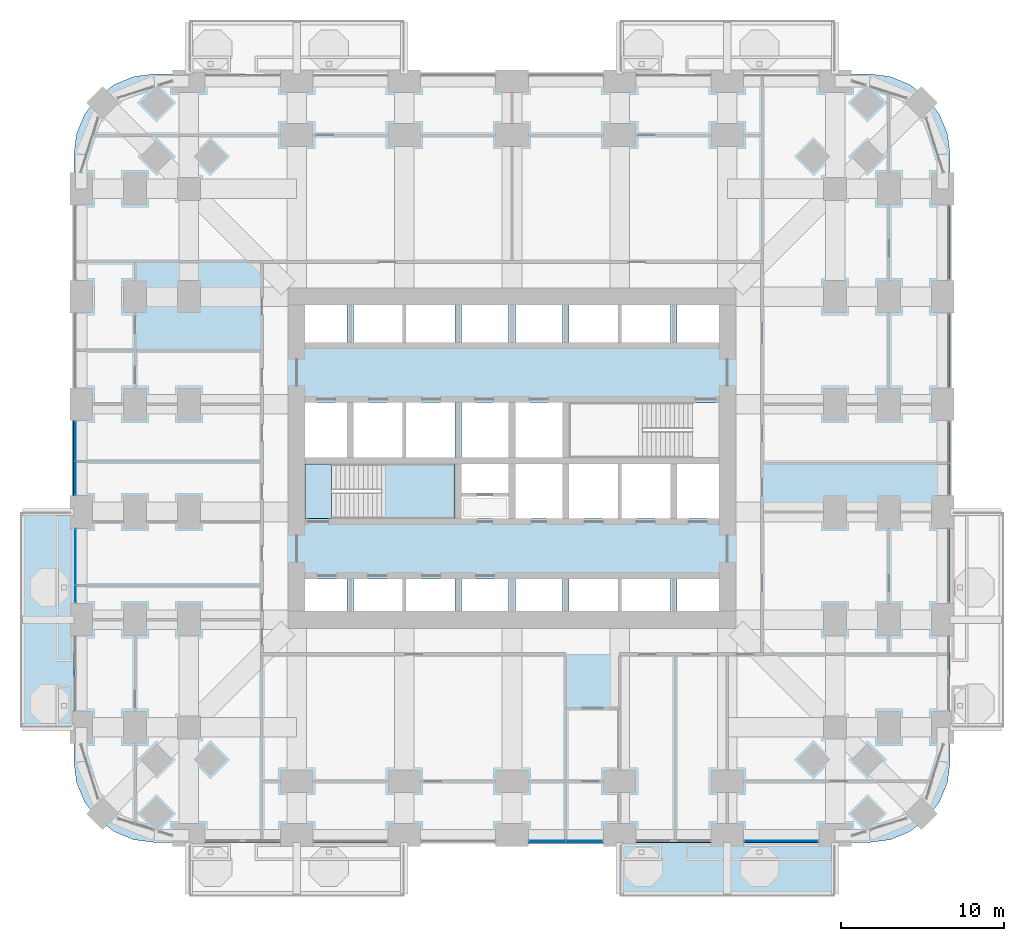
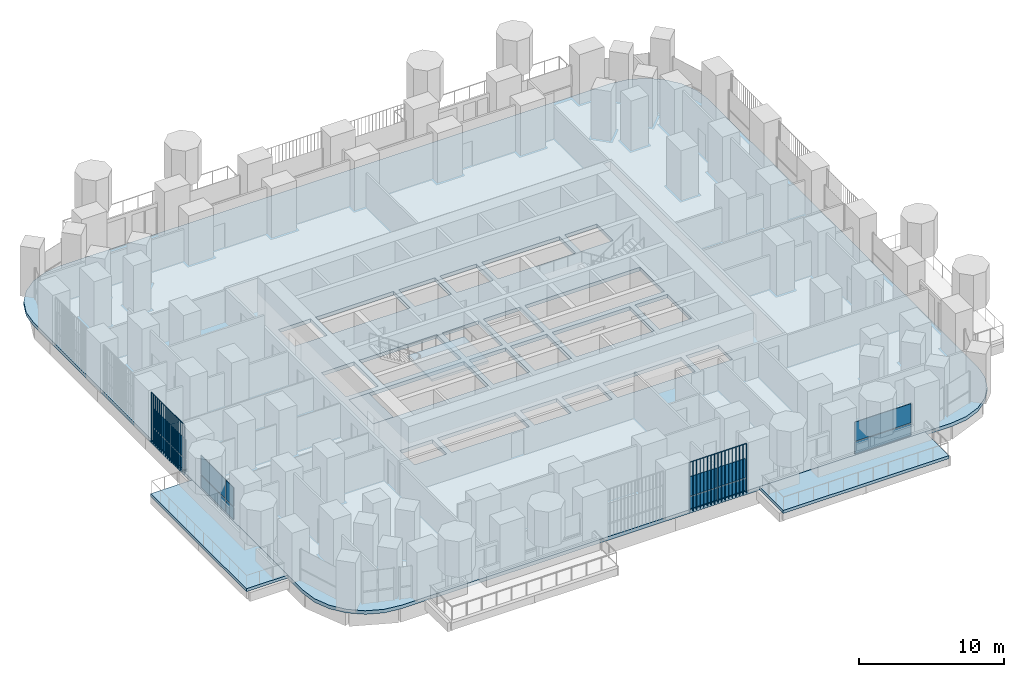
# One storey, part 12 of 25: 16 plates, 5 slabs, 5 elements without a shape of their own.
"""IFC4 building model written with IfcOpenShell, lengths in metres."""

import ifcopenshell
import ifcopenshell.guid

model = None  # the IFC model being written
_history = None  # IfcOwnerHistory: only IFC2X3 demands one
_inside = {}  # id of a spatial element -> (the spatial element, [elements in it])
_under = {}  # id of a project, library or spatial element -> (it, [spatial elements below it])
_declared = {}  # id of a project -> (the project, [libraries it declares])
_typed = {}  # id of a type object -> (the type object, [elements of that type])
_made_of = {}  # id of a material, layer set ... -> (it, [elements and type objects made of it])


def new_model(schema):
    """Start an empty IFC model of exactly this schema.

    Asked for "IFC4X3", IfcOpenShell would pick the latest addendum, in which some entities
    have other attributes; the version numbers below select the first issue.
    IFC2X3 requires an IfcOwnerHistory on every rooted entity: one is made here for all.
    """
    global model, _history
    if schema == "IFC4X3":
        model = ifcopenshell.file(schema_version=(4, 3, 0, 0))
    else:
        model = ifcopenshell.file(schema=schema)
    _inside.clear()
    _under.clear()
    _declared.clear()
    _typed.clear()
    _made_of.clear()
    _history = None
    if model.schema == "IFC2X3":
        org = make("IfcOrganization", Name="unknown")
        user = make(
            "IfcPersonAndOrganization",
            ThePerson=make("IfcPerson", FamilyName="unknown"),
            TheOrganization=org,
        )
        app = make(
            "IfcApplication",
            ApplicationDeveloper=org,
            Version="unknown",
            ApplicationFullName="unknown",
            ApplicationIdentifier="unknown",
        )
        _history = make(
            "IfcOwnerHistory",
            OwningUser=user,
            OwningApplication=app,
            ChangeAction="ADDED",
            CreationDate=0,
        )
    return model


def make(cls, **values):
    """One entity of the class cls with the attributes given. An attribute that is None is left unset."""
    return model.create_entity(
        cls, **{name: value for name, value in values.items() if value is not None}
    )


def rooted(cls, **values):
    """An entity with a GlobalId (a new one), such as an element, a storey or a relation."""
    return make(cls, GlobalId=ifcopenshell.guid.new(), OwnerHistory=_history, **values)


def si_unit(unit_type, name, prefix=None):
    """IfcSIUnit, for example si_unit("LENGTHUNIT", "METRE", prefix="MILLI")."""
    return make("IfcSIUnit", UnitType=unit_type, Prefix=prefix, Name=name)


def assignment(units):
    """IfcUnitAssignment: the units of a project."""
    return None if units is None else make("IfcUnitAssignment", Units=units)


def point(xyz):
    """IfcCartesianPoint."""
    return None if xyz is None else make("IfcCartesianPoint", Coordinates=xyz)


def direction(xyz):
    """IfcDirection."""
    return None if xyz is None else make("IfcDirection", DirectionRatios=xyz)


def frame(location, z_axis=None, x_axis=None):
    """IfcAxis2Placement3D, a coordinate frame: its origin and axes. An axis left out is left unset."""
    return make(
        "IfcAxis2Placement3D",
        Location=point(location),
        Axis=direction(z_axis),
        RefDirection=direction(x_axis),
    )


def frame_2d(location, x_axis=None):
    """IfcAxis2Placement2D, a coordinate frame in the plane: its origin and x axis."""
    return make(
        "IfcAxis2Placement2D", Location=point(location), RefDirection=direction(x_axis)
    )


def origin():
    """The frame at (0, 0, 0) with its axes left unset."""
    return frame((0.0, 0.0, 0.0))


def origin_2d():
    """The frame at (0, 0) in the plane with its x axis left unset."""
    return frame_2d((0.0, 0.0))


def place(relative_to, where):
    """IfcLocalPlacement: puts the frame where relative to a parent placement (None: the world)."""
    return make(
        "IfcLocalPlacement", PlacementRelTo=relative_to, RelativePlacement=where
    )


def context(
    kind, dimensions, precision=None, world=None, true_north=None, identifier=None
):
    """IfcGeometricRepresentationContext, for example the 3D "Model" context."""
    return make(
        "IfcGeometricRepresentationContext",
        ContextIdentifier=identifier,
        ContextType=kind,
        CoordinateSpaceDimension=dimensions,
        Precision=precision,
        WorldCoordinateSystem=world,
        TrueNorth=true_north,
    )


def subcontext(parent, identifier, kind, view, scale=None):
    """IfcGeometricRepresentationSubContext, for example "Body" below "Model"."""
    return make(
        "IfcGeometricRepresentationSubContext",
        ContextIdentifier=identifier,
        ContextType=kind,
        ParentContext=parent,
        TargetScale=scale,
        TargetView=view,
    )


def project(units=None, contexts=None):
    """IfcProject with its units and contexts."""
    return rooted(
        "IfcProject",
        Name="project",
        RepresentationContexts=contexts,
        UnitsInContext=assignment(units),
    )


def spatial(cls, under=None, at=None, **own):
    """A site, building, storey or space (cls), placed at a placement, below another one or the project."""
    s = rooted(cls, ObjectPlacement=at, **own)
    if under is not None:
        _under.setdefault(under.id(), (under, []))[1].append(s)
    return s


def polyline(points):
    """IfcPolyline through the points."""
    return make("IfcPolyline", Points=[point(p) for p in points])


def profile(cls, at=None, kind="AREA", **sizes):
    """A parametric profile (cls). Its sizes go by their IFC names, for example OverallWidth=200.0."""
    return make(cls, ProfileType=kind, Position=at, **sizes)


def rectangle(**sizes):
    """IfcRectangleProfileDef."""
    return profile("IfcRectangleProfileDef", **sizes)


def outline(outer, holes=None, kind="AREA"):
    """IfcArbitraryClosedProfileDef: a profile drawn as a closed curve; with holes, ...WithVoids."""
    if holes is None:
        return make("IfcArbitraryClosedProfileDef", ProfileType=kind, OuterCurve=outer)
    return make(
        "IfcArbitraryProfileDefWithVoids",
        ProfileType=kind,
        OuterCurve=outer,
        InnerCurves=holes,
    )


def extrude(swept, where, along, depth):
    """IfcExtrudedAreaSolid: the profile swept, set in the frame where, extruded along a direction by depth."""
    return make(
        "IfcExtrudedAreaSolid",
        SweptArea=swept,
        Position=where,
        ExtrudedDirection=direction(along),
        Depth=depth,
    )


def shape(context_of_items, identifier, shape_type, items):
    """IfcShapeRepresentation: the items that make up one representation, for example the "Body"."""
    return make(
        "IfcShapeRepresentation",
        ContextOfItems=context_of_items,
        RepresentationIdentifier=identifier,
        RepresentationType=shape_type,
        Items=items,
    )


def material(Name=None, Category=None):
    """IfcMaterial."""
    return make("IfcMaterial", Name=Name, Category=Category)


def layer(
    of_material, thickness, ventilated=None, Name=None, Category=None, Priority=None
):
    """IfcMaterialLayer: one layer of a wall or slab, of a material (None: an air gap)."""
    return make(
        "IfcMaterialLayer",
        Material=of_material,
        LayerThickness=thickness,
        IsVentilated=ventilated,
        Name=Name,
        Category=Category,
        Priority=Priority,
    )


def layer_set(layers, Name=None):
    """IfcMaterialLayerSet."""
    return make("IfcMaterialLayerSet", MaterialLayers=layers, LayerSetName=Name)


def made_of(thing, what):
    """Note that an element or type object is made of a material, layer set ...; save() writes the relation."""
    if what is not None:
        _made_of.setdefault(what.id(), (what, []))[1].append(thing)
    return thing


def type_object(cls, material=None, **own):
    """A type object (cls), such as IfcWallType, which elements share."""
    return made_of(rooted(cls, **own), material)


def element(
    cls,
    number,
    at=None,
    inside=None,
    cuts=None,
    type_object=None,
    material=None,
    context=None,
    identifier="Body",
    shape_type=None,
    held_by="IfcProductDefinitionShape",
    body=None,
    shapes=None,
    **own,
):
    """One element of the class cls, such as IfcWall. Its Tag is "e" and its number.

    at: its placement. inside: the storey or other place that contains it. cuts: it is an
    opening in that element (IfcRelVoidsElement). A single representation is given by context,
    identifier, shape_type and body (its items); several are given by shapes. held_by: the class
    of the entity that holds the representations. save() writes the other relations.
    """
    e = rooted(cls, Tag="e%d" % number, ObjectPlacement=at, **own)
    if body is not None:
        shapes = [shape(context, identifier, shape_type, body)]
    if shapes is not None:
        e.Representation = make(held_by, Representations=shapes)
    if inside is not None:
        _inside.setdefault(inside.id(), (inside, []))[1].append(e)
    if cuts is not None:
        rooted(
            "IfcRelVoidsElement", RelatingBuildingElement=cuts, RelatedOpeningElement=e
        )
    if type_object is not None:
        _typed.setdefault(type_object.id(), (type_object, []))[1].append(e)
    return made_of(e, material)


def aggregate(whole, parts):
    """IfcRelAggregates: a whole, such as a stair, and the parts it consists of."""
    return rooted("IfcRelAggregates", RelatingObject=whole, RelatedObjects=parts)


def save(model, path):
    """Write the relations noted so far, then the file.

    IfcRelAggregates (storeys below a building ...), IfcRelContainedInSpatialStructure (elements
    in a storey), IfcRelDefinesByType, IfcRelAssociatesMaterial and IfcRelDeclares: one each for
    every whole, place, type object, material and project.
    """
    for whole, parts in _under.values():
        aggregate(whole, parts)
    for where, things in _inside.values():
        rooted(
            "IfcRelContainedInSpatialStructure",
            RelatedElements=things,
            RelatingStructure=where,
        )
    for kind, things in _typed.values():
        rooted("IfcRelDefinesByType", RelatedObjects=things, RelatingType=kind)
    for what, things in _made_of.values():
        rooted("IfcRelAssociatesMaterial", RelatedObjects=things, RelatingMaterial=what)
    for by, libraries in _declared.values():
        rooted("IfcRelDeclares", RelatingContext=by, RelatedDefinitions=libraries)
    model.write(path)


model = new_model("IFC4")

# Units and contexts
model_context = context("Model", 3, precision=1e-05, world=origin(), true_north=direction((0.0, 1.0)))
body_context = subcontext(model_context, "Body", "Model", "MODEL_VIEW")
ifc_project = project(units=[si_unit("LENGTHUNIT", "METRE"), si_unit("AREAUNIT", "SQUARE_METRE"), si_unit("VOLUMEUNIT", "CUBIC_METRE"), si_unit("PLANEANGLEUNIT", "RADIAN"), si_unit("MASSUNIT", "GRAM", prefix="KILO")], contexts=[model_context])

# Site, building, storey
site_placement = place(None, origin())
site = spatial("IfcSite", under=ifc_project, at=site_placement, CompositionType="ELEMENT")
building_placement = place(site_placement, origin())
building = spatial("IfcBuilding", under=site, at=building_placement, Name="Cobogo Forest Laboratory Tower", CompositionType="ELEMENT")
storey_placement = place(building_placement, frame((0.0, 0.0, 21.300048828125)))
storey = spatial("IfcBuildingStorey", under=building, at=storey_placement, Name="L04", CompositionType="ELEMENT", Elevation=21.300048828125)

# Slabs
ifc_material_1 = material(Name="Concrete HA-40 (C40/50)", Category="concrete")
ifc_layer_1 = layer(ifc_material_1, 0.25)
ifc_layer_set_1 = layer_set([ifc_layer_1], Name="Balcony slab 250")
slab_type_1 = type_object("IfcSlabType", Name="Balcony slab 250", PredefinedType="FLOOR", material=ifc_layer_set_1)
slab_1_placement = place(storey_placement, frame((0.0, 0.0, -0.25)))
element("IfcSlab", 1, at=slab_1_placement, inside=storey, type_object=slab_type_1, Name="Balcony BAL-S2 L04", PredefinedType="FLOOR", context=body_context, shape_type="SweptSolid", body=[
    extrude(outline(polyline([(33.0, -3.75), (46.199951171875, -3.75), (46.199951171875, -0.449951171875), (33.0, -0.449951171875), (33.0, -3.75)])), origin(), (0.0, 0.0, 1.0), 0.25),
])
slab_2_placement = place(storey_placement, frame((0.0, 0.0, -0.25)))
element("IfcSlab", 2, at=slab_2_placement, inside=storey, type_object=slab_type_1, Name="Balcony BAL-W1 L04", PredefinedType="FLOOR", context=body_context, shape_type="SweptSolid", body=[
    extrude(outline(polyline([(-3.75, 6.60009765625), (-0.449951171875, 6.60009765625), (-0.449951171875, 19.800048828125), (-3.75, 19.800048828125), (-3.75, 6.60009765625)])), origin(), (0.0, 0.0, 1.0), 0.25),
])
ifc_layer_2 = layer(ifc_material_1, 0.300048828125)
ifc_layer_set_2 = layer_set([ifc_layer_2], Name="Floor slab 300")
slab_type_2 = type_object("IfcSlabType", Name="Floor slab 300", PredefinedType="FLOOR", material=ifc_layer_set_2)
slab_3_placement = place(storey_placement, frame((0.0, 0.0, -0.300048828125)))
element("IfcSlab", 3, at=slab_3_placement, inside=storey, type_object=slab_type_2, Name="L04 floor slab", PredefinedType="FLOOR", context=body_context, shape_type="SweptSolid", body=[
    extrude(outline(polyline([(48.300048828125, -0.449951171875), (49.5810546875, -0.28125), (50.77490234375, 0.213134765625), (51.80029296875, 0.999755859375), (52.5869140625, 2.02490234375), (53.081298828125, 3.21875), (53.25, 4.5), (53.25, 41.699951171875), (53.081298828125, 42.981201171875), (52.5869140625, 44.175048828125), (51.80029296875, 45.2001953125), (50.77490234375, 45.98681640625), (49.5810546875, 46.4814453125), (48.300048828125, 46.64990234375), (4.5, 46.64990234375), (3.21875, 46.4814453125), (2.02490234375, 45.98681640625), (0.999755859375, 45.2001953125), (0.213134765625, 44.175048828125), (-0.28125, 42.981201171875), (-0.449951171875, 41.699951171875), (-0.449951171875, 4.5), (-0.28125, 3.21875), (0.213134765625, 2.02490234375), (0.999755859375, 0.999755859375), (2.02490234375, 0.213134765625), (3.21875, -0.28125), (4.5, -0.449951171875), (48.300048828125, -0.449951171875)]), holes=[polyline([(16.300048828125, 13.72509765625), (13.72509765625, 13.72509765625), (13.72509765625, 15.699951171875), (16.300048828125, 15.699951171875), (16.300048828125, 13.72509765625)]), polyline([(22.89990234375, 15.699951171875), (22.89990234375, 13.72509765625), (16.699951171875, 13.72509765625), (16.699951171875, 15.699951171875), (22.89990234375, 15.699951171875)]), polyline([(23.300048828125, 13.72509765625), (23.300048828125, 15.699951171875), (26.199951171875, 15.699951171875), (26.199951171875, 13.72509765625), (23.300048828125, 13.72509765625)]), polyline([(29.5, 13.72509765625), (26.60009765625, 13.72509765625), (26.60009765625, 15.699951171875), (29.5, 15.699951171875), (29.5, 13.72509765625)]), polyline([(36.10009765625, 15.699951171875), (36.10009765625, 13.72509765625), (29.89990234375, 13.72509765625), (29.89990234375, 15.699951171875), (36.10009765625, 15.699951171875)]), polyline([(36.5, 13.72509765625), (36.5, 15.699951171875), (39.074951171875, 15.699951171875), (39.074951171875, 13.72509765625), (36.5, 13.72509765625)]), polyline([(13.72509765625, 19.39990234375), (13.72509765625, 22.75), (22.89990234375, 22.75), (22.89990234375, 19.39990234375), (13.72509765625, 19.39990234375)]), polyline([(23.300048828125, 19.39990234375), (23.300048828125, 22.75), (26.199951171875, 22.75), (26.199951171875, 19.39990234375), (23.300048828125, 19.39990234375)]), polyline([(26.60009765625, 19.39990234375), (26.60009765625, 22.75), (29.5, 22.75), (29.5, 19.39990234375), (26.60009765625, 19.39990234375)]), polyline([(36.10009765625, 22.75), (36.10009765625, 19.39990234375), (29.89990234375, 19.39990234375), (29.89990234375, 22.75), (36.10009765625, 22.75)]), polyline([(39.074951171875, 19.39990234375), (36.5, 19.39990234375), (36.5, 22.75), (39.074951171875, 22.75), (39.074951171875, 19.39990234375)]), polyline([(13.72509765625, 23.14990234375), (13.72509765625, 26.5), (16.300048828125, 26.5), (16.300048828125, 23.14990234375), (13.72509765625, 23.14990234375)]), polyline([(22.89990234375, 26.5), (22.89990234375, 23.14990234375), (16.699951171875, 23.14990234375), (16.699951171875, 26.5), (22.89990234375, 26.5)]), polyline([(23.300048828125, 23.14990234375), (23.300048828125, 26.5), (26.199951171875, 26.5), (26.199951171875, 23.14990234375), (23.300048828125, 23.14990234375)]), polyline([(26.60009765625, 23.14990234375), (26.60009765625, 26.5), (29.5, 26.5), (29.5, 23.14990234375), (26.60009765625, 23.14990234375)]), polyline([(29.89990234375, 23.14990234375), (29.89990234375, 26.5), (39.074951171875, 26.5), (39.074951171875, 23.14990234375), (29.89990234375, 23.14990234375)]), polyline([(13.72509765625, 30.199951171875), (13.72509765625, 32.47509765625), (16.300048828125, 32.47509765625), (16.300048828125, 30.199951171875), (13.72509765625, 30.199951171875)]), polyline([(22.89990234375, 32.47509765625), (22.89990234375, 30.199951171875), (16.699951171875, 30.199951171875), (16.699951171875, 32.47509765625), (22.89990234375, 32.47509765625)]), polyline([(23.300048828125, 30.199951171875), (23.300048828125, 32.47509765625), (26.199951171875, 32.47509765625), (26.199951171875, 30.199951171875), (23.300048828125, 30.199951171875)]), polyline([(26.60009765625, 30.199951171875), (26.60009765625, 32.47509765625), (29.5, 32.47509765625), (29.5, 30.199951171875), (26.60009765625, 30.199951171875)]), polyline([(36.10009765625, 32.47509765625), (36.10009765625, 30.199951171875), (29.89990234375, 30.199951171875), (29.89990234375, 32.47509765625), (36.10009765625, 32.47509765625)]), polyline([(36.5, 30.199951171875), (36.5, 32.47509765625), (39.074951171875, 32.47509765625), (39.074951171875, 30.199951171875), (36.5, 30.199951171875)])]), origin(), (0.0, 0.0, 1.0), 0.300048828125),
])

# Curtain wall, plates
ifc_material_2 = material(Name="Aluminium curtain wall", Category="aluminium")
curtain_wall_type = type_object("IfcCurtainWallType", Name="CW-1 unitised curtain wall, clear glazing, laboratory floors zones A and B", PredefinedType="USERDEFINED", material=ifc_material_2)
curtain_wall_1_placement = place(storey_placement, origin())
curtain_wall_1 = element("IfcCurtainWall", 4, at=curtain_wall_1_placement, inside=storey, type_object=curtain_wall_type, Name="Curtain wall 04 L04", ObjectType="UNITISED CURTAIN WALL", PredefinedType="USERDEFINED")
ifc_material_3 = material(Name="Clear insulated glass", Category="glass")
ifc_layer_3 = layer(ifc_material_3, 0.028076171875)
ifc_layer_set_3 = layer_set([ifc_layer_3], Name="GP-1 clear insulated glass unit 28")
plate_type_1 = type_object("IfcPlateType", Name="GP-1 clear insulated glass unit 28", PredefinedType="CURTAIN_PANEL", material=ifc_layer_set_3)
plate_1_placement = place(storey_placement, frame((28.56494140625, -0.35009765625, 0.0), z_axis=(0.0, 0.0, 1.0), x_axis=(1.0, 0.0, 0.0)))
plate_1 = element("IfcPlate", 5, at=plate_1_placement, type_object=plate_type_1, Name="CW-1 panel 1.1", PredefinedType="CURTAIN_PANEL", context=body_context, shape_type="SweptSolid", body=[
    extrude(rectangle(XDim=2.2099609375, YDim=0.028076171875, at=origin_2d()), origin(), (0.0, 0.0, 1.0), 1.02001953125),
])
plate_2_placement = place(storey_placement, frame((28.56494140625, -0.35009765625, 1.079833984375), z_axis=(0.0, 0.0, 1.0), x_axis=(1.0, 0.0, 0.0)))
plate_2 = element("IfcPlate", 6, at=plate_2_placement, type_object=plate_type_1, Name="CW-1 panel 1.2", PredefinedType="CURTAIN_PANEL", context=body_context, shape_type="SweptSolid", body=[
    extrude(rectangle(XDim=2.2099609375, YDim=0.028076171875, at=origin_2d()), origin(), (0.0, 0.0, 1.0), 1.6201171875),
])
plate_3_placement = place(storey_placement, frame((30.8349609375, -0.35009765625, 0.0), z_axis=(0.0, 0.0, 1.0), x_axis=(1.0, 0.0, 0.0)))
plate_3 = element("IfcPlate", 7, at=plate_3_placement, type_object=plate_type_1, Name="CW-1 panel 2.1", PredefinedType="CURTAIN_PANEL", context=body_context, shape_type="SweptSolid", body=[
    extrude(rectangle(XDim=2.2099609375, YDim=0.028076171875, at=origin_2d()), origin(), (0.0, 0.0, 1.0), 1.02001953125),
])
plate_4_placement = place(storey_placement, frame((30.8349609375, -0.35009765625, 1.079833984375), z_axis=(0.0, 0.0, 1.0), x_axis=(1.0, 0.0, 0.0)))
plate_4 = element("IfcPlate", 8, at=plate_4_placement, type_object=plate_type_1, Name="CW-1 panel 2.2", PredefinedType="CURTAIN_PANEL", context=body_context, shape_type="SweptSolid", body=[
    extrude(rectangle(XDim=2.2099609375, YDim=0.028076171875, at=origin_2d()), origin(), (0.0, 0.0, 1.0), 1.6201171875),
])
aggregate(curtain_wall_1, [plate_1, plate_2, plate_3, plate_4])

curtain_wall_2_placement = place(storey_placement, origin())
curtain_wall_2 = element("IfcCurtainWall", 9, at=curtain_wall_2_placement, inside=storey, type_object=curtain_wall_type, Name="Curtain wall 06 L04", ObjectType="UNITISED CURTAIN WALL", PredefinedType="USERDEFINED")
plate_5_placement = place(storey_placement, frame((42.89990234375, -0.35009765625, 0.0), z_axis=(0.0, 0.0, 1.0), x_axis=(1.0, 0.0, 0.0)))
plate_5 = element("IfcPlate", 10, at=plate_5_placement, type_object=plate_type_1, Name="CW-1 panel 1.1", PredefinedType="CURTAIN_PANEL", context=body_context, shape_type="SweptSolid", body=[
    extrude(rectangle(XDim=4.47998046875, YDim=0.028076171875, at=origin_2d()), origin(), (0.0, 0.0, 1.0), 1.02001953125),
])
plate_6_placement = place(storey_placement, frame((42.89990234375, -0.35009765625, 1.079833984375), z_axis=(0.0, 0.0, 1.0), x_axis=(1.0, 0.0, 0.0)))
plate_6 = element("IfcPlate", 11, at=plate_6_placement, type_object=plate_type_1, Name="CW-1 panel 1.2", PredefinedType="CURTAIN_PANEL", context=body_context, shape_type="SweptSolid", body=[
    extrude(rectangle(XDim=4.47998046875, YDim=0.028076171875, at=origin_2d()), origin(), (0.0, 0.0, 1.0), 1.6201171875),
])
aggregate(curtain_wall_2, [plate_5, plate_6])

curtain_wall_3_placement = place(storey_placement, origin())
curtain_wall_3 = element("IfcCurtainWall", 12, at=curtain_wall_3_placement, inside=storey, type_object=curtain_wall_type, Name="Curtain wall 29 L04", ObjectType="UNITISED CURTAIN WALL", PredefinedType="USERDEFINED")
plate_7_placement = place(storey_placement, frame((-0.35009765625, 24.135009765625, 0.0), z_axis=(0.0, 0.0, 1.0), x_axis=(0.0, -1.0, 0.0)))
plate_7 = element("IfcPlate", 13, at=plate_7_placement, type_object=plate_type_1, Name="CW-1 panel 1.1", PredefinedType="CURTAIN_PANEL", context=body_context, shape_type="SweptSolid", body=[
    extrude(rectangle(XDim=2.409912109375, YDim=0.028076171875, at=origin_2d()), origin(), (0.0, 0.0, 1.0), 1.02001953125),
])
plate_8_placement = place(storey_placement, frame((-0.35009765625, 24.135009765625, 1.079833984375), z_axis=(0.0, 0.0, 1.0), x_axis=(0.0, -1.0, 0.0)))
plate_8 = element("IfcPlate", 14, at=plate_8_placement, type_object=plate_type_1, Name="CW-1 panel 1.2", PredefinedType="CURTAIN_PANEL", context=body_context, shape_type="SweptSolid", body=[
    extrude(rectangle(XDim=2.409912109375, YDim=0.028076171875, at=origin_2d()), origin(), (0.0, 0.0, 1.0), 1.6201171875),
])
plate_9_placement = place(storey_placement, frame((-0.35009765625, 21.864990234375, 0.0), z_axis=(0.0, 0.0, 1.0), x_axis=(0.0, -1.0, 0.0)))
plate_9 = element("IfcPlate", 15, at=plate_9_placement, type_object=plate_type_1, Name="CW-1 panel 2.1", PredefinedType="CURTAIN_PANEL", context=body_context, shape_type="SweptSolid", body=[
    extrude(rectangle(XDim=2.010009765625, YDim=0.028076171875, at=origin_2d()), origin(), (0.0, 0.0, 1.0), 1.02001953125),
])
plate_10_placement = place(storey_placement, frame((-0.35009765625, 21.864990234375, 1.079833984375), z_axis=(0.0, 0.0, 1.0), x_axis=(0.0, -1.0, 0.0)))
plate_10 = element("IfcPlate", 16, at=plate_10_placement, type_object=plate_type_1, Name="CW-1 panel 2.2", PredefinedType="CURTAIN_PANEL", context=body_context, shape_type="SweptSolid", body=[
    extrude(rectangle(XDim=2.010009765625, YDim=0.028076171875, at=origin_2d()), origin(), (0.0, 0.0, 1.0), 1.6201171875),
])
aggregate(curtain_wall_3, [plate_7, plate_8, plate_9, plate_10])

curtain_wall_4_placement = place(storey_placement, origin())
curtain_wall_4 = element("IfcCurtainWall", 17, at=curtain_wall_4_placement, inside=storey, type_object=curtain_wall_type, Name="Curtain wall 30 L04", ObjectType="UNITISED CURTAIN WALL", PredefinedType="USERDEFINED")
plate_11_placement = place(storey_placement, frame((-0.35009765625, 17.034912109375, 0.0), z_axis=(0.0, 0.0, 1.0), x_axis=(0.0, -1.0, 0.0)))
plate_11 = element("IfcPlate", 18, at=plate_11_placement, type_object=plate_type_1, Name="CW-1 panel 1.1", PredefinedType="CURTAIN_PANEL", context=body_context, shape_type="SweptSolid", body=[
    extrude(rectangle(XDim=3.409912109375, YDim=0.028076171875, at=origin_2d()), origin(), (0.0, 0.0, 1.0), 1.02001953125),
])
plate_12_placement = place(storey_placement, frame((-0.35009765625, 17.034912109375, 1.079833984375), z_axis=(0.0, 0.0, 1.0), x_axis=(0.0, -1.0, 0.0)))
plate_12 = element("IfcPlate", 19, at=plate_12_placement, type_object=plate_type_1, Name="CW-1 panel 1.2", PredefinedType="CURTAIN_PANEL", context=body_context, shape_type="SweptSolid", body=[
    extrude(rectangle(XDim=3.409912109375, YDim=0.028076171875, at=origin_2d()), origin(), (0.0, 0.0, 1.0), 1.6201171875),
])
plate_13_placement = place(storey_placement, frame((-0.35009765625, 14.764892578125, 0.0), z_axis=(0.0, 0.0, 1.0), x_axis=(0.0, -1.0, 0.0)))
plate_13 = element("IfcPlate", 20, at=plate_13_placement, type_object=plate_type_1, Name="CW-1 panel 2.1", PredefinedType="CURTAIN_PANEL", context=body_context, shape_type="SweptSolid", body=[
    extrude(rectangle(XDim=1.010009765625, YDim=0.028076171875, at=origin_2d()), origin(), (0.0, 0.0, 1.0), 1.02001953125),
])
plate_14_placement = place(storey_placement, frame((-0.35009765625, 14.764892578125, 1.079833984375), z_axis=(0.0, 0.0, 1.0), x_axis=(0.0, -1.0, 0.0)))
plate_14 = element("IfcPlate", 21, at=plate_14_placement, type_object=plate_type_1, Name="CW-1 panel 2.2", PredefinedType="CURTAIN_PANEL", context=body_context, shape_type="SweptSolid", body=[
    extrude(rectangle(XDim=1.010009765625, YDim=0.028076171875, at=origin_2d()), origin(), (0.0, 0.0, 1.0), 1.6201171875),
])
aggregate(curtain_wall_4, [plate_11, plate_12, plate_13, plate_14])

# Stair, slabs
ifc_material_4 = material(Name="Precast concrete HA-40 (C40/50)", Category="concrete")
stair_type = type_object("IfcStairType", Name="ST24 exit stair 24 risers", PredefinedType="HALF_TURN_STAIR", material=ifc_material_4)
stair_placement = place(storey_placement, origin())
stair = element("IfcStair", 22, at=stair_placement, inside=storey, type_object=stair_type, Name="Stair 1 L04 to L05", PredefinedType="HALF_TURN_STAIR")
ifc_layer_4 = layer(ifc_material_1, 0.199951171875)
ifc_layer_set_4 = layer_set([ifc_layer_4], Name="SL stair landing 200")
slab_type_3 = type_object("IfcSlabType", Name="SL stair landing 200", PredefinedType="LANDING", material=ifc_layer_set_4)
slab_4_placement = place(storey_placement, frame((0.0, 0.0, -0.199951171875)))
slab_4 = element("IfcSlab", 23, at=slab_4_placement, type_object=slab_type_3, Name="ST1 landing 1", PredefinedType="LANDING", context=body_context, shape_type="SweptSolid", body=[
    extrude(outline(polyline([(13.72509765625, 19.39990234375), (15.326904296875, 19.39990234375), (15.326904296875, 22.75), (13.72509765625, 22.75), (13.72509765625, 19.39990234375)])), origin(), (0.0, 0.0, 1.0), 0.199951171875),
])
slab_5_placement = place(storey_placement, frame((0.0, 0.0, 1.89990234375)))
slab_5 = element("IfcSlab", 24, at=slab_5_placement, type_object=slab_type_3, Name="ST1 landing 2", PredefinedType="LANDING", context=body_context, shape_type="SweptSolid", body=[
    extrude(outline(polyline([(18.403076171875, 19.39990234375), (22.89990234375, 19.39990234375), (22.89990234375, 22.75), (18.403076171875, 22.75), (18.403076171875, 19.39990234375)])), origin(), (0.0, 0.0, 1.0), 0.199951171875),
])
aggregate(stair, [slab_4, slab_5])

# Plates
ifc_material_5 = material(Name="Terracotta", Category="masonry")
plate_type_2 = type_object("IfcPlateType", Name="TB1 terracotta baguette screen", PredefinedType="USERDEFINED", material=ifc_material_5)
plate_15_placement = place(storey_placement, frame((27.43115234375, -0.477783203125, -0.150146484375)))
element("IfcPlate", 25, at=plate_15_placement, inside=storey, type_object=plate_type_2, Name="Baguette screen S4 L04", ObjectType="BAGUETTE SCREEN", PredefinedType="USERDEFINED", context=body_context, shape_type="SweptSolid", body=[
    extrude(outline(polyline([(0.02880859375, 0.011962890625), (0.011962890625, 0.02880859375), (-0.011962890625, 0.02880859375), (-0.02880859375, 0.011962890625), (-0.02880859375, -0.011962890625), (-0.011962890625, -0.02880859375), (0.011962890625, -0.02880859375), (0.02880859375, -0.011962890625), (0.02880859375, 0.011962890625)])), frame((0.0, 0.0, 4.168701171875), z_axis=(1.0, 0.0, 0.0), x_axis=(0.0, 1.0, 0.0)), (0.0, 0.0, 1.0), 4.53759765625),
    extrude(outline(polyline([(0.02880859375, 0.011962890625), (0.011962890625, 0.02880859375), (-0.011962890625, 0.02880859375), (-0.02880859375, 0.011962890625), (-0.02880859375, -0.011962890625), (-0.011962890625, -0.02880859375), (0.011962890625, -0.02880859375), (0.02880859375, -0.011962890625), (0.02880859375, 0.011962890625)])), origin(), (0.0, 0.0, 1.0), 4.137451171875),
    extrude(outline(polyline([(0.02880859375, 0.011962890625), (0.011962890625, 0.02880859375), (-0.011962890625, 0.02880859375), (-0.02880859375, 0.011962890625), (-0.02880859375, -0.011962890625), (-0.011962890625, -0.02880859375), (0.011962890625, -0.02880859375), (0.02880859375, -0.011962890625), (0.02880859375, 0.011962890625)])), frame((0.28369140625, 0.0, 0.0)), (0.0, 0.0, 1.0), 4.137451171875),
    extrude(outline(polyline([(0.02880859375, 0.011962890625), (0.011962890625, 0.02880859375), (-0.011962890625, 0.02880859375), (-0.02880859375, 0.011962890625), (-0.02880859375, -0.011962890625), (-0.011962890625, -0.02880859375), (0.011962890625, -0.02880859375), (0.02880859375, -0.011962890625), (0.02880859375, 0.011962890625)])), frame((0.567138671875, 0.0, 0.0)), (0.0, 0.0, 1.0), 4.137451171875),
    extrude(outline(polyline([(0.02880859375, 0.011962890625), (0.011962890625, 0.02880859375), (-0.011962890625, 0.02880859375), (-0.02880859375, 0.011962890625), (-0.02880859375, -0.011962890625), (-0.011962890625, -0.02880859375), (0.011962890625, -0.02880859375), (0.02880859375, -0.011962890625), (0.02880859375, 0.011962890625)])), frame((0.850830078125, 0.0, 0.0)), (0.0, 0.0, 1.0), 4.137451171875),
    extrude(outline(polyline([(0.02880859375, 0.011962890625), (0.011962890625, 0.02880859375), (-0.011962890625, 0.02880859375), (-0.02880859375, 0.011962890625), (-0.02880859375, -0.011962890625), (-0.011962890625, -0.02880859375), (0.011962890625, -0.02880859375), (0.02880859375, -0.011962890625), (0.02880859375, 0.011962890625)])), frame((1.13427734375, 0.0, 0.0)), (0.0, 0.0, 1.0), 4.137451171875),
    extrude(outline(polyline([(0.02880859375, 0.011962890625), (0.011962890625, 0.02880859375), (-0.011962890625, 0.02880859375), (-0.02880859375, 0.011962890625), (-0.02880859375, -0.011962890625), (-0.011962890625, -0.02880859375), (0.011962890625, -0.02880859375), (0.02880859375, -0.011962890625), (0.02880859375, 0.011962890625)])), frame((1.41796875, 0.0, 0.0)), (0.0, 0.0, 1.0), 4.137451171875),
    extrude(outline(polyline([(0.02880859375, 0.011962890625), (0.011962890625, 0.02880859375), (-0.011962890625, 0.02880859375), (-0.02880859375, 0.011962890625), (-0.02880859375, -0.011962890625), (-0.011962890625, -0.02880859375), (0.011962890625, -0.02880859375), (0.02880859375, -0.011962890625), (0.02880859375, 0.011962890625)])), frame((1.70166015625, 0.0, 0.0)), (0.0, 0.0, 1.0), 4.137451171875),
    extrude(outline(polyline([(0.02880859375, 0.011962890625), (0.011962890625, 0.02880859375), (-0.011962890625, 0.02880859375), (-0.02880859375, 0.011962890625), (-0.02880859375, -0.011962890625), (-0.011962890625, -0.02880859375), (0.011962890625, -0.02880859375), (0.02880859375, -0.011962890625), (0.02880859375, 0.011962890625)])), frame((1.985107421875, 0.0, 0.0)), (0.0, 0.0, 1.0), 4.137451171875),
    extrude(outline(polyline([(0.02880859375, 0.011962890625), (0.011962890625, 0.02880859375), (-0.011962890625, 0.02880859375), (-0.02880859375, 0.011962890625), (-0.02880859375, -0.011962890625), (-0.011962890625, -0.02880859375), (0.011962890625, -0.02880859375), (0.02880859375, -0.011962890625), (0.02880859375, 0.011962890625)])), frame((2.268798828125, 0.0, 0.0)), (0.0, 0.0, 1.0), 4.137451171875),
    extrude(outline(polyline([(0.02880859375, 0.011962890625), (0.011962890625, 0.02880859375), (-0.011962890625, 0.02880859375), (-0.02880859375, 0.011962890625), (-0.02880859375, -0.011962890625), (-0.011962890625, -0.02880859375), (0.011962890625, -0.02880859375), (0.02880859375, -0.011962890625), (0.02880859375, 0.011962890625)])), frame((2.552490234375, 0.0, 0.0)), (0.0, 0.0, 1.0), 4.137451171875),
    extrude(outline(polyline([(0.02880859375, 0.011962890625), (0.011962890625, 0.02880859375), (-0.011962890625, 0.02880859375), (-0.02880859375, 0.011962890625), (-0.02880859375, -0.011962890625), (-0.011962890625, -0.02880859375), (0.011962890625, -0.02880859375), (0.02880859375, -0.011962890625), (0.02880859375, 0.011962890625)])), frame((2.8359375, 0.0, 0.0)), (0.0, 0.0, 1.0), 4.137451171875),
    extrude(outline(polyline([(0.02880859375, 0.011962890625), (0.011962890625, 0.02880859375), (-0.011962890625, 0.02880859375), (-0.02880859375, 0.011962890625), (-0.02880859375, -0.011962890625), (-0.011962890625, -0.02880859375), (0.011962890625, -0.02880859375), (0.02880859375, -0.011962890625), (0.02880859375, 0.011962890625)])), frame((3.11962890625, 0.0, 0.0)), (0.0, 0.0, 1.0), 4.137451171875),
    extrude(outline(polyline([(0.02880859375, 0.011962890625), (0.011962890625, 0.02880859375), (-0.011962890625, 0.02880859375), (-0.02880859375, 0.011962890625), (-0.02880859375, -0.011962890625), (-0.011962890625, -0.02880859375), (0.011962890625, -0.02880859375), (0.02880859375, -0.011962890625), (0.02880859375, 0.011962890625)])), frame((3.4033203125, 0.0, 0.0)), (0.0, 0.0, 1.0), 4.137451171875),
    extrude(outline(polyline([(0.02880859375, 0.011962890625), (0.011962890625, 0.02880859375), (-0.011962890625, 0.02880859375), (-0.02880859375, 0.011962890625), (-0.02880859375, -0.011962890625), (-0.011962890625, -0.02880859375), (0.011962890625, -0.02880859375), (0.02880859375, -0.011962890625), (0.02880859375, 0.011962890625)])), frame((3.686767578125, 0.0, 0.0)), (0.0, 0.0, 1.0), 4.137451171875),
    extrude(outline(polyline([(0.02880859375, 0.011962890625), (0.011962890625, 0.02880859375), (-0.011962890625, 0.02880859375), (-0.02880859375, 0.011962890625), (-0.02880859375, -0.011962890625), (-0.011962890625, -0.02880859375), (0.011962890625, -0.02880859375), (0.02880859375, -0.011962890625), (0.02880859375, 0.011962890625)])), frame((3.970458984375, 0.0, 0.0)), (0.0, 0.0, 1.0), 4.137451171875),
    extrude(outline(polyline([(0.02880859375, 0.011962890625), (0.011962890625, 0.02880859375), (-0.011962890625, 0.02880859375), (-0.02880859375, 0.011962890625), (-0.02880859375, -0.011962890625), (-0.011962890625, -0.02880859375), (0.011962890625, -0.02880859375), (0.02880859375, -0.011962890625), (0.02880859375, 0.011962890625)])), frame((4.25390625, 0.0, 0.0)), (0.0, 0.0, 1.0), 4.137451171875),
    extrude(outline(polyline([(0.02880859375, 0.011962890625), (0.011962890625, 0.02880859375), (-0.011962890625, 0.02880859375), (-0.02880859375, 0.011962890625), (-0.02880859375, -0.011962890625), (-0.011962890625, -0.02880859375), (0.011962890625, -0.02880859375), (0.02880859375, -0.011962890625), (0.02880859375, 0.011962890625)])), frame((4.53759765625, 0.0, 0.0)), (0.0, 0.0, 1.0), 4.137451171875),
])
plate_16_placement = place(storey_placement, frame((-0.477783203125, 20.831298828125, -0.150146484375)))
element("IfcPlate", 26, at=plate_16_placement, inside=storey, type_object=plate_type_2, Name="Baguette screen W3 L04", ObjectType="BAGUETTE SCREEN", PredefinedType="USERDEFINED", context=body_context, shape_type="SweptSolid", body=[
    extrude(outline(polyline([(0.02880859375, 0.011962890625), (0.011962890625, 0.02880859375), (-0.011962890625, 0.02880859375), (-0.02880859375, 0.011962890625), (-0.02880859375, -0.011962890625), (-0.011962890625, -0.02880859375), (0.011962890625, -0.02880859375), (0.02880859375, -0.011962890625), (0.02880859375, 0.011962890625)])), frame((0.0, 0.0, 4.168701171875), z_axis=(0.0, 1.0, 0.0), x_axis=(-1.0, 0.0, 0.0)), (0.0, 0.0, 1.0), 4.537353515625),
    extrude(outline(polyline([(0.02880859375, 0.011962890625), (0.011962890625, 0.02880859375), (-0.011962890625, 0.02880859375), (-0.02880859375, 0.011962890625), (-0.02880859375, -0.011962890625), (-0.011962890625, -0.02880859375), (0.011962890625, -0.02880859375), (0.02880859375, -0.011962890625), (0.02880859375, 0.011962890625)])), origin(), (0.0, 0.0, 1.0), 4.137451171875),
    extrude(outline(polyline([(0.02880859375, 0.011962890625), (0.011962890625, 0.02880859375), (-0.011962890625, 0.02880859375), (-0.02880859375, 0.011962890625), (-0.02880859375, -0.011962890625), (-0.011962890625, -0.02880859375), (0.011962890625, -0.02880859375), (0.02880859375, -0.011962890625), (0.02880859375, 0.011962890625)])), frame((0.0, 0.28369140625, 0.0)), (0.0, 0.0, 1.0), 4.137451171875),
    extrude(outline(polyline([(0.02880859375, 0.011962890625), (0.011962890625, 0.02880859375), (-0.011962890625, 0.02880859375), (-0.02880859375, 0.011962890625), (-0.02880859375, -0.011962890625), (-0.011962890625, -0.02880859375), (0.011962890625, -0.02880859375), (0.02880859375, -0.011962890625), (0.02880859375, 0.011962890625)])), frame((0.0, 0.567138671875, 0.0)), (0.0, 0.0, 1.0), 4.137451171875),
    extrude(outline(polyline([(0.02880859375, 0.011962890625), (0.011962890625, 0.02880859375), (-0.011962890625, 0.02880859375), (-0.02880859375, 0.011962890625), (-0.02880859375, -0.011962890625), (-0.011962890625, -0.02880859375), (0.011962890625, -0.02880859375), (0.02880859375, -0.011962890625), (0.02880859375, 0.011962890625)])), frame((0.0, 0.850830078125, 0.0)), (0.0, 0.0, 1.0), 4.137451171875),
    extrude(outline(polyline([(0.02880859375, 0.011962890625), (0.011962890625, 0.02880859375), (-0.011962890625, 0.02880859375), (-0.02880859375, 0.011962890625), (-0.02880859375, -0.011962890625), (-0.011962890625, -0.02880859375), (0.011962890625, -0.02880859375), (0.02880859375, -0.011962890625), (0.02880859375, 0.011962890625)])), frame((0.0, 1.13427734375, 0.0)), (0.0, 0.0, 1.0), 4.137451171875),
    extrude(outline(polyline([(0.02880859375, 0.011962890625), (0.011962890625, 0.02880859375), (-0.011962890625, 0.02880859375), (-0.02880859375, 0.011962890625), (-0.02880859375, -0.011962890625), (-0.011962890625, -0.02880859375), (0.011962890625, -0.02880859375), (0.02880859375, -0.011962890625), (0.02880859375, 0.011962890625)])), frame((0.0, 1.41796875, 0.0)), (0.0, 0.0, 1.0), 4.137451171875),
    extrude(outline(polyline([(0.02880859375, 0.011962890625), (0.011962890625, 0.02880859375), (-0.011962890625, 0.02880859375), (-0.02880859375, 0.011962890625), (-0.02880859375, -0.011962890625), (-0.011962890625, -0.02880859375), (0.011962890625, -0.02880859375), (0.02880859375, -0.011962890625), (0.02880859375, 0.011962890625)])), frame((0.0, 1.701416015625, 0.0)), (0.0, 0.0, 1.0), 4.137451171875),
    extrude(outline(polyline([(0.02880859375, 0.011962890625), (0.011962890625, 0.02880859375), (-0.011962890625, 0.02880859375), (-0.02880859375, 0.011962890625), (-0.02880859375, -0.011962890625), (-0.011962890625, -0.02880859375), (0.011962890625, -0.02880859375), (0.02880859375, -0.011962890625), (0.02880859375, 0.011962890625)])), frame((0.0, 1.985107421875, 0.0)), (0.0, 0.0, 1.0), 4.137451171875),
    extrude(outline(polyline([(0.02880859375, 0.011962890625), (0.011962890625, 0.02880859375), (-0.011962890625, 0.02880859375), (-0.02880859375, 0.011962890625), (-0.02880859375, -0.011962890625), (-0.011962890625, -0.02880859375), (0.011962890625, -0.02880859375), (0.02880859375, -0.011962890625), (0.02880859375, 0.011962890625)])), frame((0.0, 2.2685546875, 0.0)), (0.0, 0.0, 1.0), 4.137451171875),
    extrude(outline(polyline([(0.02880859375, 0.011962890625), (0.011962890625, 0.02880859375), (-0.011962890625, 0.02880859375), (-0.02880859375, 0.011962890625), (-0.02880859375, -0.011962890625), (-0.011962890625, -0.02880859375), (0.011962890625, -0.02880859375), (0.02880859375, -0.011962890625), (0.02880859375, 0.011962890625)])), frame((0.0, 2.55224609375, 0.0)), (0.0, 0.0, 1.0), 4.137451171875),
    extrude(outline(polyline([(0.02880859375, 0.011962890625), (0.011962890625, 0.02880859375), (-0.011962890625, 0.02880859375), (-0.02880859375, 0.011962890625), (-0.02880859375, -0.011962890625), (-0.011962890625, -0.02880859375), (0.011962890625, -0.02880859375), (0.02880859375, -0.011962890625), (0.02880859375, 0.011962890625)])), frame((0.0, 2.8359375, 0.0)), (0.0, 0.0, 1.0), 4.137451171875),
    extrude(outline(polyline([(0.02880859375, 0.011962890625), (0.011962890625, 0.02880859375), (-0.011962890625, 0.02880859375), (-0.02880859375, 0.011962890625), (-0.02880859375, -0.011962890625), (-0.011962890625, -0.02880859375), (0.011962890625, -0.02880859375), (0.02880859375, -0.011962890625), (0.02880859375, 0.011962890625)])), frame((0.0, 3.119384765625, 0.0)), (0.0, 0.0, 1.0), 4.137451171875),
    extrude(outline(polyline([(0.02880859375, 0.011962890625), (0.011962890625, 0.02880859375), (-0.011962890625, 0.02880859375), (-0.02880859375, 0.011962890625), (-0.02880859375, -0.011962890625), (-0.011962890625, -0.02880859375), (0.011962890625, -0.02880859375), (0.02880859375, -0.011962890625), (0.02880859375, 0.011962890625)])), frame((0.0, 3.403076171875, 0.0)), (0.0, 0.0, 1.0), 4.137451171875),
    extrude(outline(polyline([(0.02880859375, 0.011962890625), (0.011962890625, 0.02880859375), (-0.011962890625, 0.02880859375), (-0.02880859375, 0.011962890625), (-0.02880859375, -0.011962890625), (-0.011962890625, -0.02880859375), (0.011962890625, -0.02880859375), (0.02880859375, -0.011962890625), (0.02880859375, 0.011962890625)])), frame((0.0, 3.6865234375, 0.0)), (0.0, 0.0, 1.0), 4.137451171875),
    extrude(outline(polyline([(0.02880859375, 0.011962890625), (0.011962890625, 0.02880859375), (-0.011962890625, 0.02880859375), (-0.02880859375, 0.011962890625), (-0.02880859375, -0.011962890625), (-0.011962890625, -0.02880859375), (0.011962890625, -0.02880859375), (0.02880859375, -0.011962890625), (0.02880859375, 0.011962890625)])), frame((0.0, 3.97021484375, 0.0)), (0.0, 0.0, 1.0), 4.137451171875),
    extrude(outline(polyline([(0.02880859375, 0.011962890625), (0.011962890625, 0.02880859375), (-0.011962890625, 0.02880859375), (-0.02880859375, 0.011962890625), (-0.02880859375, -0.011962890625), (-0.011962890625, -0.02880859375), (0.011962890625, -0.02880859375), (0.02880859375, -0.011962890625), (0.02880859375, 0.011962890625)])), frame((0.0, 4.253662109375, 0.0)), (0.0, 0.0, 1.0), 4.137451171875),
    extrude(outline(polyline([(0.02880859375, 0.011962890625), (0.011962890625, 0.02880859375), (-0.011962890625, 0.02880859375), (-0.02880859375, 0.011962890625), (-0.02880859375, -0.011962890625), (-0.011962890625, -0.02880859375), (0.011962890625, -0.02880859375), (0.02880859375, -0.011962890625), (0.02880859375, 0.011962890625)])), frame((0.0, 4.537353515625, 0.0)), (0.0, 0.0, 1.0), 4.137451171875),
])

save(model, "model.ifc")
